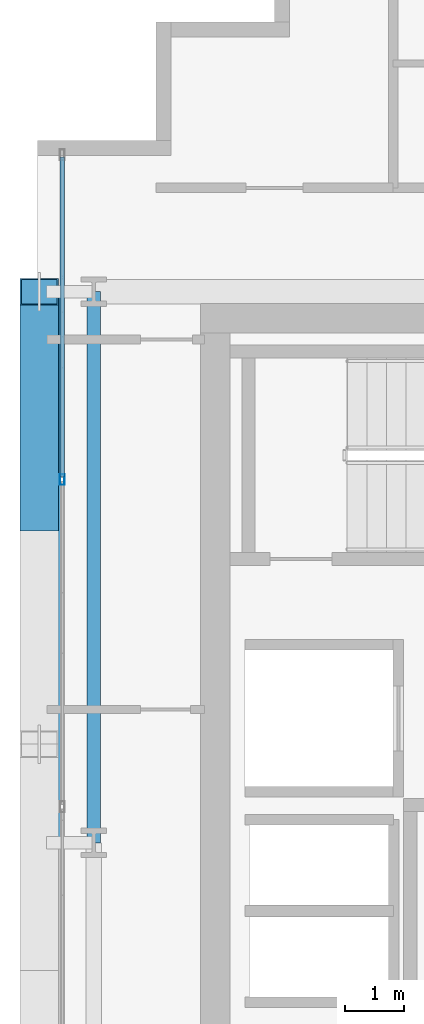
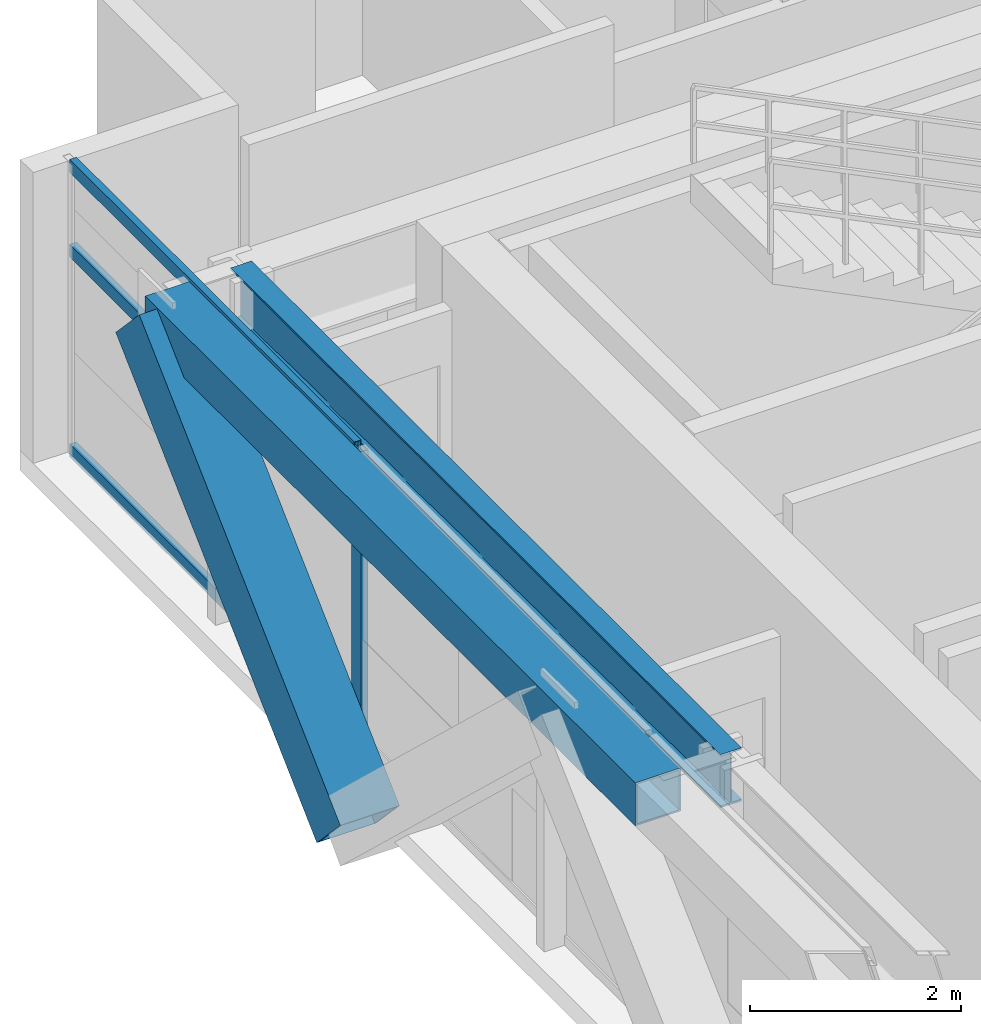
# One storey, part 8 of 31: 5 members, 2 beams, 1 element without a shape of its own.
"""IFC4 building model written with IfcOpenShell, lengths in metres."""

from ifc_helpers import new_model, si_unit, direction, frame, origin, origin_2d, place, context, subcontext, project, spatial, hollow_rectangle, i_section, extrude, source, transform, mapped, material, layer, layer_set, material_profile, profile_set, type_object, element, aggregate, save


model = new_model("IFC4")

# Units and contexts
model_context = context("Model", 3, precision=1e-05, world=origin(), true_north=direction((0.0, 1.0)))
body_context = subcontext(model_context, "Body", "Model", "MODEL_VIEW")
ifc_project = project(units=[si_unit("LENGTHUNIT", "METRE"), si_unit("AREAUNIT", "SQUARE_METRE"), si_unit("VOLUMEUNIT", "CUBIC_METRE"), si_unit("PLANEANGLEUNIT", "RADIAN"), si_unit("MASSUNIT", "GRAM", prefix="KILO")], contexts=[model_context])

# Site, building, storey
site_placement = place(None, origin())
site = spatial("IfcSite", under=ifc_project, at=site_placement, CompositionType="ELEMENT")
building_placement = place(site_placement, origin())
building = spatial("IfcBuilding", under=site, at=building_placement, Name="Ocotamira Hotel", CompositionType="ELEMENT")
storey_placement = place(building_placement, frame((0.0, 0.0, 199.199951171875)))
storey = spatial("IfcBuildingStorey", under=building, at=storey_placement, Name="L50", CompositionType="ELEMENT", Elevation=199.199951171875)

# Beams
ifc_material_1 = material(Name="Steel ASTM A992 Grade 50", Category="steel")
ifc_material_profile_1 = material_profile(ifc_material_1, i_section(OverallWidth=0.22998046875, OverallDepth=0.616943359375, WebThickness=0.01318359375, FlangeThickness=0.022216796875, FilletRadius=0.012939453125, at=origin_2d()), Name="W24X94")
ifc_profile_set_1 = profile_set([ifc_material_profile_1], Name="Steel ASTM A992 Grade 50")
beam_type_1 = type_object("IfcBeamType", Name="BM-PRIM-W24X94", PredefinedType="BEAM", material=ifc_profile_set_1)
shared_shape_1 = source(origin(), body_context, "Body", "SweptSolid", [
    extrude(i_section(OverallWidth=0.22998046875, OverallDepth=0.616943359375, WebThickness=0.01318359375, FlangeThickness=0.022216796875, FilletRadius=0.012939453125, at=origin_2d()), origin(), (0.0, 0.0, 1.0), 9.300048828125),
])
beam_1_placement = place(storey_placement, frame((8.949951171875, 28.14990234375, 3.0615234375), z_axis=(0.0, 1.0, 0.0), x_axis=(-1.0, 0.0, 0.0)))
element("IfcBeam", 1, at=beam_1_placement, inside=storey, type_object=beam_type_1, Name="L50 Beam X8.95 Y28.15-37.45", PredefinedType="BEAM", context=body_context, shape_type="MappedRepresentation", body=[
    mapped(shared_shape_1, transform((0.0, 0.0, 0.0), scale=1.0)),
])
ifc_material_2 = material(Name="Steel ASTM A500 Grade C", Category="steel")
ifc_material_profile_2 = material_profile(ifc_material_2, hollow_rectangle(XDim=0.5, YDim=0.5, WallThickness=0.02001953125, at=origin_2d()), Name="HSS500X500X20")
ifc_profile_set_2 = profile_set([ifc_material_profile_2], Name="Steel ASTM A500 Grade C")
beam_type_2 = type_object("IfcBeamType", Name="BM-SPAN-HSS500", PredefinedType="USERDEFINED", material=ifc_profile_set_2)
shared_shape_2 = source(origin(), body_context, "Body", "SweptSolid", [
    extrude(hollow_rectangle(XDim=0.5, YDim=0.5, WallThickness=0.02001953125, at=origin_2d()), origin(), (0.0, 0.0, 1.0), 9.300048828125),
])
beam_2_placement = place(storey_placement, frame((8.14990234375, 28.14990234375, 3.1201171875), z_axis=(0.0, 1.0, 0.0), x_axis=(-1.0, 0.0, 0.0)))
element("IfcBeam", 2, at=beam_2_placement, inside=storey, type_object=beam_type_2, Name="L50 Edge Spandrel W Y28.15-37.45", ObjectType="SPANDREL", PredefinedType="USERDEFINED", context=body_context, shape_type="MappedRepresentation", body=[
    mapped(shared_shape_2, transform((0.0, 0.0, 0.0), scale=1.0)),
])

# Member
ifc_material_3 = material(Name="Pale-metal coated steel ASTM A913 Grade 65", Category="steel")
ifc_material_profile_3 = material_profile(ifc_material_3, hollow_rectangle(XDim=0.64990234375, YDim=0.64990234375, WallThickness=0.02197265625, at=origin_2d()), Name="BOX650X650X22")
ifc_profile_set_3 = profile_set([ifc_material_profile_3], Name="Pale-metal coated steel ASTM A913 Grade 65")
member_type_1 = type_object("IfcMemberType", Name="MEM-EXO-BOX650", PredefinedType="BRACE", material=ifc_profile_set_3)
shared_shape_3 = source(origin(), body_context, "Body", "SweptSolid", [
    extrude(hollow_rectangle(XDim=0.64990234375, YDim=0.64990234375, WallThickness=0.02197265625, at=origin_2d()), origin(), (0.0, 0.0, 1.0), 5.24658203125),
])
member_1_placement = place(storey_placement, frame((8.030029296875, 33.63330078125, -0.47998046875), z_axis=(0.0, 0.727442733726, 0.686168397078), x_axis=(-1.0, 0.0, 0.0)))
element("IfcMember", 3, at=member_1_placement, inside=storey, type_object=member_type_1, Name="L50 Exoskeleton Diagrid W2.2", PredefinedType="BRACE", context=body_context, shape_type="MappedRepresentation", body=[
    mapped(shared_shape_3, transform((0.0, 0.0, 0.0), scale=1.0)),
])

# Curtain wall, members
ifc_material_4 = material(Name="Anodised pale-metal aluminium and solar glass", Category="aluminium")
ifc_layer = layer(ifc_material_4, 0.199951171875)
ifc_layer_set = layer_set([ifc_layer], Name="Anodised pale-metal aluminium and solar glass")
curtain_wall_type = type_object("IfcCurtainWallType", Name="CW-SYS4-Z3", PredefinedType="NOTDEFINED", material=ifc_layer_set)
curtain_wall_placement = place(storey_placement, origin())
curtain_wall = element("IfcCurtainWall", 4, at=curtain_wall_placement, inside=storey, type_object=curtain_wall_type, Name="L50 Curtain Wall CW-4 CW-L50-W", PredefinedType="NOTDEFINED")
ifc_material_5 = material(Name="Anodised pale-metal aluminium 6063-T6", Category="aluminium")
ifc_material_profile_4 = material_profile(ifc_material_5, hollow_rectangle(XDim=0.080078125, YDim=0.179931640625, WallThickness=0.006103515625, at=origin_2d()), Name="HSS180X80X6")
ifc_profile_set_4 = profile_set([ifc_material_profile_4], Name="Anodised pale-metal aluminium 6063-T6")
member_type_2 = type_object("IfcMemberType", Name="CWM-180X75", PredefinedType="MULLION", material=ifc_profile_set_4)
shared_shape_4 = source(origin(), body_context, "Body", "SweptSolid", [
    extrude(hollow_rectangle(XDim=0.080078125, YDim=0.179931640625, WallThickness=0.006103515625, at=origin_2d()), origin(), (0.0, 0.0, 1.0), 3.3701171875),
])
member_2_placement = place(storey_placement, frame((8.419921875, 34.280029296875, 0.0), z_axis=(0.0, 0.0, 1.0), x_axis=(-1.0, 0.0, 0.0)))
member_2 = element("IfcMember", 5, at=member_2_placement, type_object=member_type_2, Name="CW-4 mullion 5", PredefinedType="MULLION", context=body_context, shape_type="MappedRepresentation", body=[
    mapped(shared_shape_4, transform((0.0, 0.0, 0.0), scale=1.0)),
])
ifc_material_profile_5 = material_profile(ifc_material_5, hollow_rectangle(XDim=0.074951171875, YDim=0.14990234375, WallThickness=0.006103515625, at=origin_2d()), Name="HSS150X75X6")
ifc_profile_set_5 = profile_set([ifc_material_profile_5], Name="Anodised pale-metal aluminium 6063-T6")
member_type_3 = type_object("IfcMemberType", Name="CWT-150X75", PredefinedType="USERDEFINED", material=ifc_profile_set_5)
shared_shape_5 = source(origin(), body_context, "Body", "SweptSolid", [
    extrude(hollow_rectangle(XDim=0.074951171875, YDim=0.14990234375, WallThickness=0.006103515625, at=origin_2d()), origin(), (0.0, 0.0, 1.0), 5.39990234375),
])
member_3_placement = place(storey_placement, frame((8.419921875, 34.320068359375, 0.03759765625), z_axis=(0.0, 1.0, 0.0), x_axis=(-1.0, 0.0, 0.0)))
member_3 = element("IfcMember", 6, at=member_3_placement, type_object=member_type_3, Name="CW-4 transom 5.1", ObjectType="TRANSOM", PredefinedType="USERDEFINED", context=body_context, shape_type="MappedRepresentation", body=[
    mapped(shared_shape_5, transform((0.0, 0.0, 0.0), scale=1.0)),
])
member_4_placement = place(storey_placement, frame((8.419921875, 34.320068359375, 2.35009765625), z_axis=(0.0, 1.0, 0.0), x_axis=(-1.0, 0.0, 0.0)))
member_4 = element("IfcMember", 7, at=member_4_placement, type_object=member_type_3, Name="CW-4 transom 5.2", ObjectType="TRANSOM", PredefinedType="USERDEFINED", context=body_context, shape_type="MappedRepresentation", body=[
    mapped(shared_shape_5, transform((0.0, 0.0, 0.0), scale=1.0)),
])
member_5_placement = place(storey_placement, frame((8.419921875, 34.320068359375, 3.33251953125), z_axis=(0.0, 1.0, 0.0), x_axis=(-1.0, 0.0, 0.0)))
member_5 = element("IfcMember", 8, at=member_5_placement, type_object=member_type_3, Name="CW-4 transom 5.3", ObjectType="TRANSOM", PredefinedType="USERDEFINED", context=body_context, shape_type="MappedRepresentation", body=[
    mapped(shared_shape_5, transform((0.0, 0.0, 0.0), scale=1.0)),
])
aggregate(curtain_wall, [member_2, member_3, member_4, member_5])

save(model, "model.ifc")
